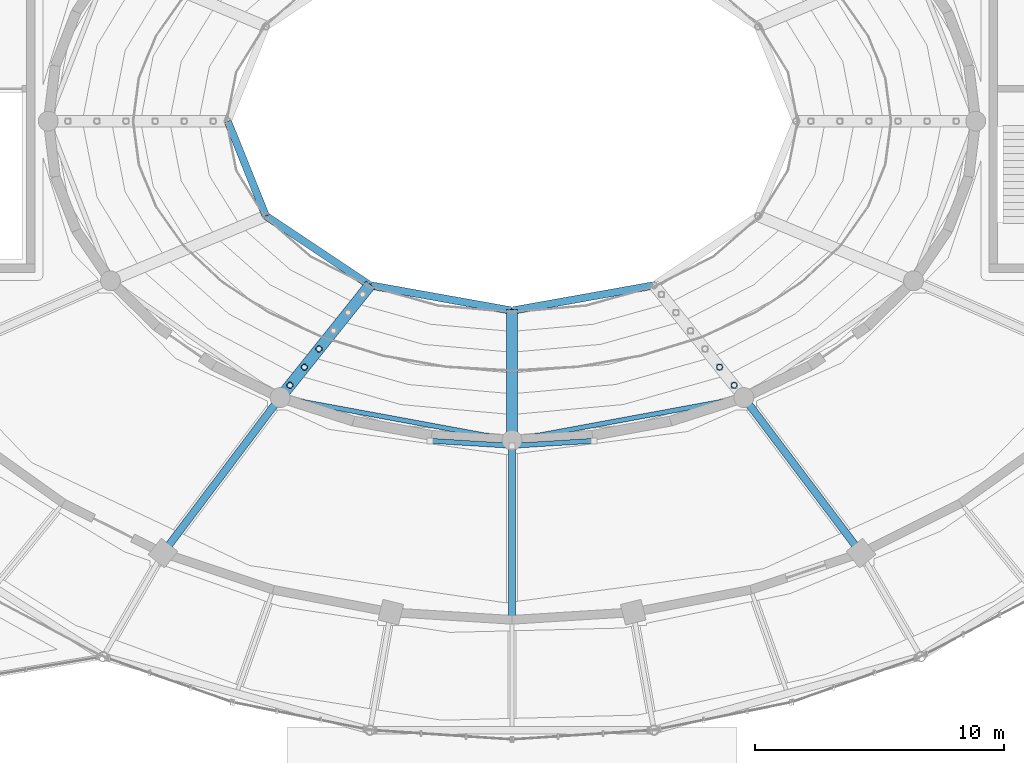
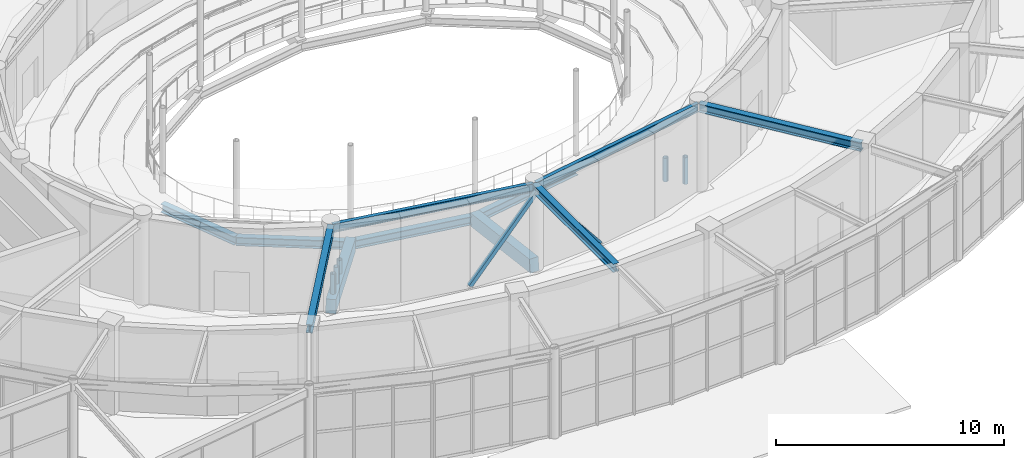
# One storey, part 37 of 100: 11 beams, 7 members.
"""IFC4 building model written with IfcOpenShell, lengths in metres."""

import ifcopenshell
import ifcopenshell.guid

model = None  # the IFC model being written
_history = None  # IfcOwnerHistory: only IFC2X3 demands one
_inside = {}  # id of a spatial element -> (the spatial element, [elements in it])
_under = {}  # id of a project, library or spatial element -> (it, [spatial elements below it])
_declared = {}  # id of a project -> (the project, [libraries it declares])
_typed = {}  # id of a type object -> (the type object, [elements of that type])
_made_of = {}  # id of a material, layer set ... -> (it, [elements and type objects made of it])


def new_model(schema):
    """Start an empty IFC model of exactly this schema.

    Asked for "IFC4X3", IfcOpenShell would pick the latest addendum, in which some entities
    have other attributes; the version numbers below select the first issue.
    IFC2X3 requires an IfcOwnerHistory on every rooted entity: one is made here for all.
    """
    global model, _history
    if schema == "IFC4X3":
        model = ifcopenshell.file(schema_version=(4, 3, 0, 0))
    else:
        model = ifcopenshell.file(schema=schema)
    _inside.clear()
    _under.clear()
    _declared.clear()
    _typed.clear()
    _made_of.clear()
    _history = None
    if model.schema == "IFC2X3":
        org = make("IfcOrganization", Name="unknown")
        user = make(
            "IfcPersonAndOrganization",
            ThePerson=make("IfcPerson", FamilyName="unknown"),
            TheOrganization=org,
        )
        app = make(
            "IfcApplication",
            ApplicationDeveloper=org,
            Version="unknown",
            ApplicationFullName="unknown",
            ApplicationIdentifier="unknown",
        )
        _history = make(
            "IfcOwnerHistory",
            OwningUser=user,
            OwningApplication=app,
            ChangeAction="ADDED",
            CreationDate=0,
        )
    return model


def make(cls, **values):
    """One entity of the class cls with the attributes given. An attribute that is None is left unset."""
    return model.create_entity(
        cls, **{name: value for name, value in values.items() if value is not None}
    )


def rooted(cls, **values):
    """An entity with a GlobalId (a new one), such as an element, a storey or a relation."""
    return make(cls, GlobalId=ifcopenshell.guid.new(), OwnerHistory=_history, **values)


def si_unit(unit_type, name, prefix=None):
    """IfcSIUnit, for example si_unit("LENGTHUNIT", "METRE", prefix="MILLI")."""
    return make("IfcSIUnit", UnitType=unit_type, Prefix=prefix, Name=name)


def assignment(units):
    """IfcUnitAssignment: the units of a project."""
    return None if units is None else make("IfcUnitAssignment", Units=units)


def point(xyz):
    """IfcCartesianPoint."""
    return None if xyz is None else make("IfcCartesianPoint", Coordinates=xyz)


def direction(xyz):
    """IfcDirection."""
    return None if xyz is None else make("IfcDirection", DirectionRatios=xyz)


def frame(location, z_axis=None, x_axis=None):
    """IfcAxis2Placement3D, a coordinate frame: its origin and axes. An axis left out is left unset."""
    return make(
        "IfcAxis2Placement3D",
        Location=point(location),
        Axis=direction(z_axis),
        RefDirection=direction(x_axis),
    )


def frame_2d(location, x_axis=None):
    """IfcAxis2Placement2D, a coordinate frame in the plane: its origin and x axis."""
    return make(
        "IfcAxis2Placement2D", Location=point(location), RefDirection=direction(x_axis)
    )


def origin():
    """The frame at (0, 0, 0) with its axes left unset."""
    return frame((0.0, 0.0, 0.0))


def origin_2d():
    """The frame at (0, 0) in the plane with its x axis left unset."""
    return frame_2d((0.0, 0.0))


def place(relative_to, where):
    """IfcLocalPlacement: puts the frame where relative to a parent placement (None: the world)."""
    return make(
        "IfcLocalPlacement", PlacementRelTo=relative_to, RelativePlacement=where
    )


def context(
    kind, dimensions, precision=None, world=None, true_north=None, identifier=None
):
    """IfcGeometricRepresentationContext, for example the 3D "Model" context."""
    return make(
        "IfcGeometricRepresentationContext",
        ContextIdentifier=identifier,
        ContextType=kind,
        CoordinateSpaceDimension=dimensions,
        Precision=precision,
        WorldCoordinateSystem=world,
        TrueNorth=true_north,
    )


def subcontext(parent, identifier, kind, view, scale=None):
    """IfcGeometricRepresentationSubContext, for example "Body" below "Model"."""
    return make(
        "IfcGeometricRepresentationSubContext",
        ContextIdentifier=identifier,
        ContextType=kind,
        ParentContext=parent,
        TargetScale=scale,
        TargetView=view,
    )


def project(units=None, contexts=None):
    """IfcProject with its units and contexts."""
    return rooted(
        "IfcProject",
        Name="project",
        RepresentationContexts=contexts,
        UnitsInContext=assignment(units),
    )


def spatial(cls, under=None, at=None, **own):
    """A site, building, storey or space (cls), placed at a placement, below another one or the project."""
    s = rooted(cls, ObjectPlacement=at, **own)
    if under is not None:
        _under.setdefault(under.id(), (under, []))[1].append(s)
    return s


def profile(cls, at=None, kind="AREA", **sizes):
    """A parametric profile (cls). Its sizes go by their IFC names, for example OverallWidth=200.0."""
    return make(cls, ProfileType=kind, Position=at, **sizes)


def rectangle(**sizes):
    """IfcRectangleProfileDef."""
    return profile("IfcRectangleProfileDef", **sizes)


def hollow_rectangle(**sizes):
    """IfcRectangleHollowProfileDef."""
    return profile("IfcRectangleHollowProfileDef", **sizes)


def hollow_circle(**sizes):
    """IfcCircleHollowProfileDef."""
    return profile("IfcCircleHollowProfileDef", **sizes)


def i_section(**sizes):
    """IfcIShapeProfileDef."""
    return profile("IfcIShapeProfileDef", **sizes)


def extrude(swept, where, along, depth):
    """IfcExtrudedAreaSolid: the profile swept, set in the frame where, extruded along a direction by depth."""
    return make(
        "IfcExtrudedAreaSolid",
        SweptArea=swept,
        Position=where,
        ExtrudedDirection=direction(along),
        Depth=depth,
    )


def shape(context_of_items, identifier, shape_type, items):
    """IfcShapeRepresentation: the items that make up one representation, for example the "Body"."""
    return make(
        "IfcShapeRepresentation",
        ContextOfItems=context_of_items,
        RepresentationIdentifier=identifier,
        RepresentationType=shape_type,
        Items=items,
    )


def material(Name=None, Category=None):
    """IfcMaterial."""
    return make("IfcMaterial", Name=Name, Category=Category)


def material_profile(
    of_material, cross_section, Name=None, Category=None, Priority=None
):
    """IfcMaterialProfile: a cross section and its material."""
    return make(
        "IfcMaterialProfile",
        Name=Name,
        Material=of_material,
        Profile=cross_section,
        Priority=Priority,
        Category=Category,
    )


def profile_set(profiles, Name=None, composite=None):
    """IfcMaterialProfileSet."""
    return make(
        "IfcMaterialProfileSet",
        Name=Name,
        MaterialProfiles=profiles,
        CompositeProfile=composite,
    )


def made_of(thing, what):
    """Note that an element or type object is made of a material, layer set ...; save() writes the relation."""
    if what is not None:
        _made_of.setdefault(what.id(), (what, []))[1].append(thing)
    return thing


def type_object(cls, material=None, **own):
    """A type object (cls), such as IfcWallType, which elements share."""
    return made_of(rooted(cls, **own), material)


def element(
    cls,
    number,
    at=None,
    inside=None,
    cuts=None,
    type_object=None,
    material=None,
    context=None,
    identifier="Body",
    shape_type=None,
    held_by="IfcProductDefinitionShape",
    body=None,
    shapes=None,
    **own,
):
    """One element of the class cls, such as IfcWall. Its Tag is "e" and its number.

    at: its placement. inside: the storey or other place that contains it. cuts: it is an
    opening in that element (IfcRelVoidsElement). A single representation is given by context,
    identifier, shape_type and body (its items); several are given by shapes. held_by: the class
    of the entity that holds the representations. save() writes the other relations.
    """
    e = rooted(cls, Tag="e%d" % number, ObjectPlacement=at, **own)
    if body is not None:
        shapes = [shape(context, identifier, shape_type, body)]
    if shapes is not None:
        e.Representation = make(held_by, Representations=shapes)
    if inside is not None:
        _inside.setdefault(inside.id(), (inside, []))[1].append(e)
    if cuts is not None:
        rooted(
            "IfcRelVoidsElement", RelatingBuildingElement=cuts, RelatedOpeningElement=e
        )
    if type_object is not None:
        _typed.setdefault(type_object.id(), (type_object, []))[1].append(e)
    return made_of(e, material)


def aggregate(whole, parts):
    """IfcRelAggregates: a whole, such as a stair, and the parts it consists of."""
    return rooted("IfcRelAggregates", RelatingObject=whole, RelatedObjects=parts)


def save(model, path):
    """Write the relations noted so far, then the file.

    IfcRelAggregates (storeys below a building ...), IfcRelContainedInSpatialStructure (elements
    in a storey), IfcRelDefinesByType, IfcRelAssociatesMaterial and IfcRelDeclares: one each for
    every whole, place, type object, material and project.
    """
    for whole, parts in _under.values():
        aggregate(whole, parts)
    for where, things in _inside.values():
        rooted(
            "IfcRelContainedInSpatialStructure",
            RelatedElements=things,
            RelatingStructure=where,
        )
    for kind, things in _typed.values():
        rooted("IfcRelDefinesByType", RelatedObjects=things, RelatingType=kind)
    for what, things in _made_of.values():
        rooted("IfcRelAssociatesMaterial", RelatedObjects=things, RelatingMaterial=what)
    for by, libraries in _declared.values():
        rooted("IfcRelDeclares", RelatingContext=by, RelatedDefinitions=libraries)
    model.write(path)


model = new_model("IFC4")

# Units and contexts
model_context = context("Model", 3, precision=1e-05, world=origin(), true_north=direction((0.0, 1.0)))
body_context = subcontext(model_context, "Body", "Model", "MODEL_VIEW")
ifc_project = project(units=[si_unit("LENGTHUNIT", "METRE"), si_unit("AREAUNIT", "SQUARE_METRE"), si_unit("VOLUMEUNIT", "CUBIC_METRE"), si_unit("PLANEANGLEUNIT", "RADIAN"), si_unit("MASSUNIT", "GRAM", prefix="KILO")], contexts=[model_context])

# Site, building, storey
site_placement = place(None, origin())
site = spatial("IfcSite", under=ifc_project, at=site_placement, CompositionType="ELEMENT")
building_placement = place(site_placement, origin())
building = spatial("IfcBuilding", under=site, at=building_placement, Name="Tarnveldt Headland Concert Hall", CompositionType="ELEMENT")
storey_placement = place(building_placement, frame((0.0, 0.0, 4.800048828125)))
storey = spatial("IfcBuildingStorey", under=building, at=storey_placement, Name="L01", CompositionType="ELEMENT", Elevation=4.800048828125)

# Members
ifc_material_1 = material(Name="Steel S355", Category="steel")
ifc_material_profile_1 = material_profile(ifc_material_1, hollow_rectangle(XDim=0.199951171875, YDim=0.199951171875, WallThickness=0.012451171875, at=origin_2d()), Name="SHS 200x200x12.5", Category="steel")
ifc_profile_set_1 = profile_set([ifc_material_profile_1], Name="Steel S355")
member_type_1 = type_object("IfcMemberType", Name="BR-SHS200", PredefinedType="BRACE", material=ifc_profile_set_1)
for number, where, z_axis, x_axis, name in (
    (1, (80.215576171875, 41.681396484375, 0.179931640625), (0.630340026666, -0.038655357318, 0.775356185332), (0.061209623857, 0.998124933036, 0.0), "Acoustic drum chevron brace L01-10A"),
    (2, (86.784423828125, 41.681396484375, 0.179931640625), (-0.630340026666, -0.038655357318, 0.775356185332), (0.061209623857, -0.998124933036, 0.0), "Acoustic drum chevron brace L01-10B"),
):
    element("IfcMember", number, at=place(storey_placement, frame(where, z_axis=z_axis, x_axis=x_axis)), inside=storey, type_object=member_type_1, Name=name, PredefinedType="BRACE", context=body_context, shape_type="SweptSolid", body=[
        extrude(hollow_rectangle(XDim=0.199951171875, YDim=0.199951171875, WallThickness=0.012451171875, at=origin_2d()), origin(), (0.0, 0.0, 1.0), 5.21044921875),
    ])

# Beams
ifc_material_2 = material(Name="Concrete C40/50", Category="concrete")
ifc_material_profile_2 = material_profile(ifc_material_2, rectangle(XDim=0.449951171875, YDim=0.699951171875, at=origin_2d()), Name="RAKER RC 450x700", Category="concrete")
ifc_profile_set_2 = profile_set([ifc_material_profile_2], Name="Concrete C40/50")
beam_type_1 = type_object("IfcBeamType", Name="RK-450x700", PredefinedType="BEAM", material=ifc_profile_set_2)
beam_1_placement = place(storey_placement, frame((74.199951171875, 43.414794921875, 0.119873046875), z_axis=(0.62042493142, 0.776099164856, -0.1128848563), x_axis=(-0.781091844356, 0.624416151842, 0.0)))
element("IfcBeam", 3, at=beam_1_placement, inside=storey, type_object=beam_type_1, Name="Stand RAKER beam L01-9", PredefinedType="BEAM", context=body_context, shape_type="SweptSolid", body=[
    extrude(rectangle(XDim=0.449951171875, YDim=0.699951171875, at=origin_2d()), origin(), (0.0, 0.0, 1.0), 5.802734375),
])
beam_2_placement = place(storey_placement, frame((83.5, 41.699951171875, 0.119873046875), z_axis=(0.0, 0.992159178084, -0.124980659881), x_axis=(-1.0, 0.0, 0.0)))
element("IfcBeam", 4, at=beam_2_placement, inside=storey, type_object=beam_type_1, Name="Stand RAKER beam L01-10", PredefinedType="BEAM", context=body_context, shape_type="SweptSolid", body=[
    extrude(rectangle(XDim=0.449951171875, YDim=0.699951171875, at=origin_2d()), origin(), (0.0, 0.0, 1.0), 5.240966796875),
])
ifc_material_profile_3 = material_profile(ifc_material_1, i_section(OverallWidth=0.300048828125, OverallDepth=0.449951171875, WebThickness=0.013916015625, FlangeThickness=0.02587890625, FilletRadius=0.027099609375, at=origin_2d()), Name="HEB450", Category="steel")
ifc_profile_set_3 = profile_set([ifc_material_profile_3], Name="Steel S355")
beam_type_2 = type_object("IfcBeamType", Name="SB-HEB450", PredefinedType="BEAM", material=ifc_profile_set_3)
beam_3_placement = place(storey_placement, frame((72.10009765625, 54.5, -0.53515625), z_axis=(0.372880527765, -0.927879362856, 0.0), x_axis=(0.927879362856, 0.372880527765, 0.0)))
element("IfcBeam", 5, at=beam_3_placement, inside=storey, type_object=beam_type_2, Name="RAKER header beam L01-7", PredefinedType="BEAM", context=body_context, shape_type="SweptSolid", body=[
    extrude(i_section(OverallWidth=0.300048828125, OverallDepth=0.449951171875, WebThickness=0.013916015625, FlangeThickness=0.02587890625, FilletRadius=0.027099609375, at=origin_2d()), origin(), (0.0, 0.0, 1.0), 4.095458984375),
])
beam_4_placement = place(storey_placement, frame((73.627197265625, 50.699951171875, -0.53515625), z_axis=(0.832065272977, -0.554677727609, 0.0), x_axis=(0.554677727609, 0.832065272977, 0.0)))
element("IfcBeam", 6, at=beam_4_placement, inside=storey, type_object=beam_type_2, Name="RAKER header beam L01-8", PredefinedType="BEAM", context=body_context, shape_type="SweptSolid", body=[
    extrude(i_section(OverallWidth=0.300048828125, OverallDepth=0.449951171875, WebThickness=0.013916015625, FlangeThickness=0.02587890625, FilletRadius=0.027099609375, at=origin_2d()), origin(), (0.0, 0.0, 1.0), 5.01513671875),
])
for number, where, z_axis, x_axis, name in (
    (7, (77.800048828125, 47.918212890625, -0.53515625), (0.984413760872, -0.175867982893, 0.0), (0.175867982893, 0.984413760872, 0.0), "RAKER header beam L01-9"),
    (8, (83.5, 46.89990234375, -0.53515625), (0.984413760872, 0.175867982893, 0.0), (-0.175867982893, 0.984413760872, 0.0), "RAKER header beam L01-10"),
):
    element("IfcBeam", number, at=place(storey_placement, frame(where, z_axis=z_axis, x_axis=x_axis)), inside=storey, type_object=beam_type_2, Name=name, PredefinedType="BEAM", context=body_context, shape_type="SweptSolid", body=[
        extrude(i_section(OverallWidth=0.300048828125, OverallDepth=0.449951171875, WebThickness=0.013916015625, FlangeThickness=0.02587890625, FilletRadius=0.027099609375, at=origin_2d()), origin(), (0.0, 0.0, 1.0), 5.790283203125),
    ])
beam_5_placement = place(storey_placement, frame((74.17578125, 43.383056640625, 4.31494140625), z_axis=(-0.601893745781, -0.798576182208, 0.0), x_axis=(0.798576182208, -0.601893745781, 0.0)))
element("IfcBeam", 9, at=beam_5_placement, inside=storey, type_object=beam_type_2, Name="Framing beam L01-748", PredefinedType="BEAM", context=body_context, shape_type="SweptSolid", body=[
    extrude(i_section(OverallWidth=0.300048828125, OverallDepth=0.449951171875, WebThickness=0.013916015625, FlangeThickness=0.02587890625, FilletRadius=0.027099609375, at=origin_2d()), origin(), (0.0, 0.0, 1.0), 7.728271484375),
])
beam_6_placement = place(storey_placement, frame((83.5, 41.659912109375, 4.31494140625), z_axis=(0.0, -1.0, 0.0), x_axis=(1.0, 0.0, 0.0)))
element("IfcBeam", 10, at=beam_6_placement, inside=storey, type_object=beam_type_2, Name="Framing beam L01-750", PredefinedType="BEAM", context=body_context, shape_type="SweptSolid", body=[
    extrude(i_section(OverallWidth=0.300048828125, OverallDepth=0.449951171875, WebThickness=0.013916015625, FlangeThickness=0.02587890625, FilletRadius=0.027099609375, at=origin_2d()), origin(), (0.0, 0.0, 1.0), 7.119873046875),
])
beam_7_placement = place(storey_placement, frame((92.82421875, 43.383056640625, 4.31494140625), z_axis=(0.601893745781, -0.798576182208, 0.0), x_axis=(0.798576182208, 0.601893745781, 0.0)))
element("IfcBeam", 11, at=beam_7_placement, inside=storey, type_object=beam_type_2, Name="Framing beam L01-752", PredefinedType="BEAM", context=body_context, shape_type="SweptSolid", body=[
    extrude(i_section(OverallWidth=0.300048828125, OverallDepth=0.449951171875, WebThickness=0.013916015625, FlangeThickness=0.02587890625, FilletRadius=0.027099609375, at=origin_2d()), origin(), (0.0, 0.0, 1.0), 7.728271484375),
])
ifc_material_profile_4 = material_profile(ifc_material_1, i_section(OverallWidth=0.18994140625, OverallDepth=0.449951171875, WebThickness=0.009521484375, FlangeThickness=0.0146484375, FilletRadius=0.02099609375, at=origin_2d()), Name="IPE450", Category="steel")
ifc_profile_set_4 = profile_set([ifc_material_profile_4], Name="Steel S355")
beam_type_3 = type_object("IfcBeamType", Name="SB-IPE450", PredefinedType="BEAM", material=ifc_profile_set_4)
for number, where, z_axis, x_axis, name in (
    (12, (74.259033203125, 43.404052734375, 4.31494140625), (0.983420438696, -0.181340124501, 0.0), (0.181340124501, 0.983420438696, 0.0), "Framing beam L01-749"),
    (13, (83.55908203125, 41.7109375, 4.31494140625), (0.983420438696, 0.181340124501, 0.0), (-0.181340124501, 0.983420438696, 0.0), "Framing beam L01-751"),
):
    element("IfcBeam", number, at=place(storey_placement, frame(where, z_axis=z_axis, x_axis=x_axis)), inside=storey, type_object=beam_type_3, Name=name, PredefinedType="BEAM", context=body_context, shape_type="SweptSolid", body=[
        extrude(i_section(OverallWidth=0.18994140625, OverallDepth=0.449951171875, WebThickness=0.009521484375, FlangeThickness=0.0146484375, FilletRadius=0.02099609375, at=origin_2d()), origin(), (0.0, 0.0, 1.0), 9.336669921875),
    ])

# Members
ifc_material_profile_5 = material_profile(ifc_material_1, hollow_circle(Radius=0.122314453125, WallThickness=0.01611328125, at=origin_2d()), Name="CHS 244.5x16", Category="steel")
ifc_profile_set_5 = profile_set([ifc_material_profile_5], Name="Steel S355")
member_type_2 = type_object("IfcMemberType", Name="TR-CHORD244", PredefinedType="POST", material=ifc_profile_set_5)
member_placement = place(storey_placement, frame((75.75830078125, 45.3642578125, -0.16357421875), z_axis=(0.0, 0.0, 1.0), x_axis=(1.0, 0.0, 0.0)))
element("IfcMember", 14, at=member_placement, inside=storey, type_object=member_type_2, Name="Vineyard tier raker stool post L01-4-9", PredefinedType="POST", context=body_context, shape_type="SweptSolid", body=[
    extrude(hollow_circle(Radius=0.122314453125, WallThickness=0.01611328125, at=origin_2d()), origin(), (0.0, 0.0, 1.0), 1.07861328125),
])
for number, where, z_axis, x_axis, name in (
    (15, (75.175048828125, 44.634521484375, -0.057373046875), (0.0, 0.0, 1.0), (1.0, 0.0, 0.0), "Vineyard tier raker stool post L01-5-9"),
    (16, (91.824951171875, 44.634521484375, -0.057373046875), (0.0, 0.0, 1.0), (1.0, 0.0, 0.0), "Vineyard tier raker stool post L01-5-11"),
):
    element("IfcMember", number, at=place(storey_placement, frame(where, z_axis=z_axis, x_axis=x_axis)), inside=storey, type_object=member_type_2, Name=name, PredefinedType="POST", context=body_context, shape_type="SweptSolid", body=[
        extrude(hollow_circle(Radius=0.122314453125, WallThickness=0.01611328125, at=origin_2d()), origin(), (0.0, 0.0, 1.0), 1.25244140625),
    ])
for number, where, z_axis, x_axis, name in (
    (17, (74.591796875, 43.90478515625, 0.048583984375), (0.0, 0.0, 1.0), (1.0, 0.0, 0.0), "Vineyard tier raker stool post L01-6-9"),
    (18, (92.408203125, 43.90478515625, 0.048583984375), (0.0, 0.0, 1.0), (1.0, 0.0, 0.0), "Vineyard tier raker stool post L01-6-11"),
):
    element("IfcMember", number, at=place(storey_placement, frame(where, z_axis=z_axis, x_axis=x_axis)), inside=storey, type_object=member_type_2, Name=name, PredefinedType="POST", context=body_context, shape_type="SweptSolid", body=[
        extrude(hollow_circle(Radius=0.122314453125, WallThickness=0.01611328125, at=origin_2d()), origin(), (0.0, 0.0, 1.0), 1.42626953125),
    ])

save(model, "model.ifc")
